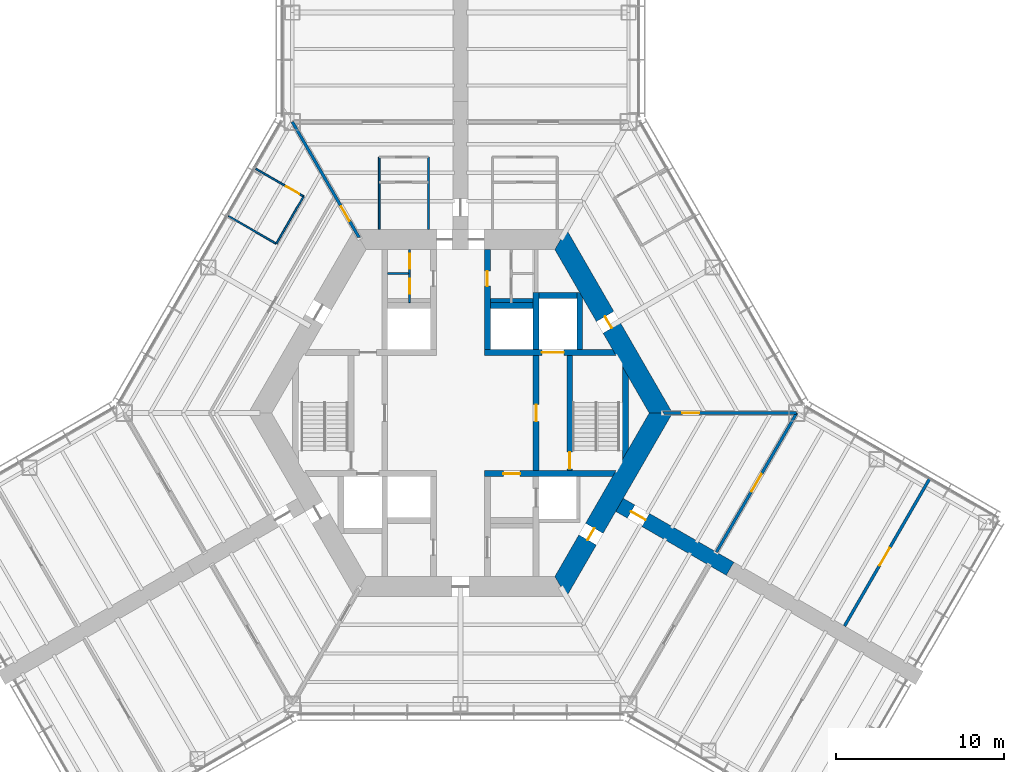
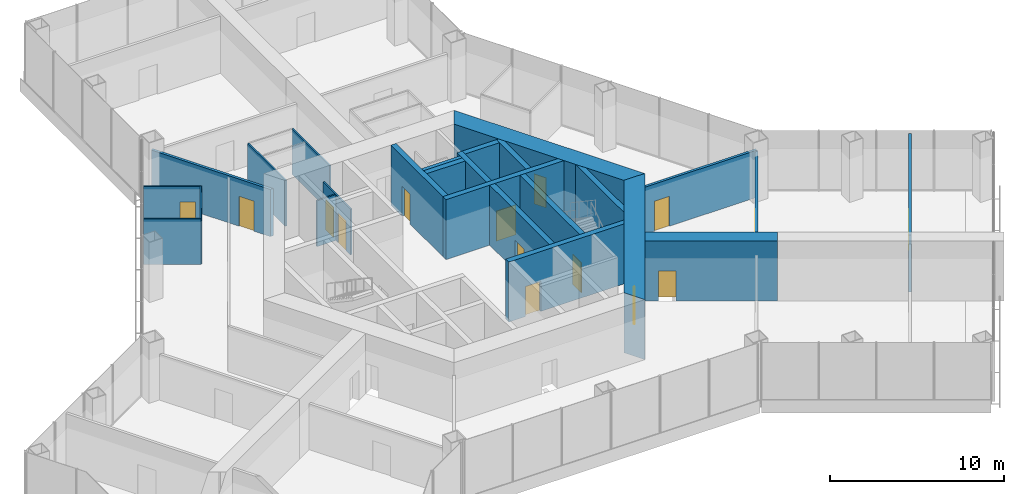
# One storey, part 12 of 16: 25 walls, 15 doors, 15 openings.
"""IFC4 building model written with IfcOpenShell, lengths in metres."""

from ifc_helpers import new_model, si_unit, direction, frame, frame_2d, origin, place, context, subcontext, project, spatial, polyline, rectangle, outline, extrude, material, layer, layer_set, type_object, element, fill, save


model = new_model("IFC4")

# Units and contexts
model_context = context("Model", 3, precision=1e-05, world=origin(), true_north=direction((0.0, 1.0)))
body_context = subcontext(model_context, "Body", "Model", "MODEL_VIEW")
ifc_project = project(units=[si_unit("LENGTHUNIT", "METRE"), si_unit("AREAUNIT", "SQUARE_METRE"), si_unit("VOLUMEUNIT", "CUBIC_METRE"), si_unit("PLANEANGLEUNIT", "RADIAN"), si_unit("MASSUNIT", "GRAM", prefix="KILO")], contexts=[model_context])

# Site, building, storey
site_placement = place(None, origin())
site = spatial("IfcSite", under=ifc_project, at=site_placement, CompositionType="ELEMENT")
building_placement = place(site_placement, origin())
building = spatial("IfcBuilding", under=site, at=building_placement, Name="Kasaneha Research Tower", CompositionType="ELEMENT")
storey_placement = place(building_placement, frame((0.0, 0.0, 14.199951171875)))
storey = spatial("IfcBuildingStorey", under=building, at=storey_placement, Name="L04", CompositionType="ELEMENT", Elevation=14.199951171875)

# Wall, opening, door
ifc_material_1 = material(Name="Concrete Fc100", Category="concrete")
ifc_layer_1 = layer(ifc_material_1, 0.35009765625)
ifc_layer_set_1 = layer_set([ifc_layer_1], Name="Core internal wall 350 Fc100")
wall_type_1 = type_object("IfcWallType", Name="Core internal wall 350 Fc100", PredefinedType="SHEAR", material=ifc_layer_set_1)
wall_1_placement = place(storey_placement, frame((1.425048828125, 3.60009765625, 0.0), z_axis=(0.0, 0.0, 1.0), x_axis=(1.0, 0.0, 0.0)))
wall_1 = element("IfcWall", 1, at=wall_1_placement, inside=storey, type_object=wall_type_1, Name="Core wall W1E L04", PredefinedType="SHEAR", context=body_context, shape_type="SweptSolid", body=[
    extrude(outline(polyline([(0.0, -0.175048828125), (3.425048828125, -0.175048828125), (4.72509765625, -0.175048828125), (7.8271484375, -0.175048828125), (7.625, 0.175048828125), (4.72509765625, 0.175048828125), (3.425048828125, 0.175048828125), (0.0, 0.175048828125), (0.0, -0.175048828125)])), origin(), (0.0, 0.0, 1.0), 4.199951171875),
])
opening_1_placement = place(wall_1_placement, frame((3.425048828125, 0.0, 0.0)))
opening_1 = element("IfcOpeningElement", 2, at=opening_1_placement, cuts=wall_1, Name="Opening LD-FL1-L04", PredefinedType="OPENING", context=body_context, shape_type="SweptSolid", body=[
    extrude(rectangle(XDim=1.300048828125, YDim=2.10009765625, at=frame_2d((0.64990234375, 1.050048828125))), frame((0.0, 0.18505859375, 0.0), z_axis=(0.0, -1.0, 0.0), x_axis=(1.0, 0.0, 0.0)), (0.0, 0.0, 1.0), 0.3701171875),
])
ifc_material_2 = material(Name="Steel", Category="steel")
door_type_1 = type_object("IfcDoorType", Name="Lift landing door 1300x2100", OperationType="DOUBLE_DOOR_SLIDING", PredefinedType="DOOR", material=ifc_material_2)
door_1_placement = place(opening_1_placement, origin())
door_1 = element("IfcDoor", 3, at=door_1_placement, inside=storey, type_object=door_type_1, Name="Landing door FL1 LD-FL1-L04", OperationType="DOUBLE_DOOR_SLIDING", OverallHeight=2.10009765625, OverallWidth=1.300048828125, PredefinedType="DOOR", context=body_context, shape_type="SweptSolid", body=[
    extrude(rectangle(XDim=1.300048828125, YDim=2.10009765625, at=frame_2d((0.64990234375, 1.050048828125))), frame((0.0, 0.02490234375, 0.0), z_axis=(0.0, -1.0, 0.0), x_axis=(1.0, 0.0, 0.0)), (0.0, 0.0, 1.0), 0.050048828125),
])
fill(opening_1, door_1)

wall_2_placement = place(storey_placement, frame((1.425048828125, -3.60009765625, 0.0), z_axis=(0.0, 0.0, 1.0), x_axis=(1.0, 0.0, 0.0)))
wall_2 = element("IfcWall", 4, at=wall_2_placement, inside=storey, type_object=wall_type_1, Name="Core wall W2E L04", PredefinedType="SHEAR", context=body_context, shape_type="SweptSolid", body=[
    extrude(outline(polyline([(0.0, -0.175048828125), (1.125, -0.175048828125), (2.125, -0.175048828125), (7.625, -0.175048828125), (7.8271484375, 0.175048828125), (2.125, 0.175048828125), (1.125, 0.175048828125), (0.0, 0.175048828125), (0.0, -0.175048828125)])), origin(), (0.0, 0.0, 1.0), 4.199951171875),
])
opening_2_placement = place(wall_2_placement, frame((1.125, 0.0, 0.0)))
opening_2 = element("IfcOpeningElement", 5, at=opening_2_placement, cuts=wall_2, Name="Opening L04-LV", PredefinedType="OPENING", context=body_context, shape_type="SweptSolid", body=[
    extrude(rectangle(XDim=1.0, YDim=2.10009765625, at=frame_2d((0.5, 1.050048828125))), frame((0.0, 0.18505859375, 0.0), z_axis=(0.0, -1.0, 0.0), x_axis=(1.0, 0.0, 0.0)), (0.0, 0.0, 1.0), 0.3701171875),
])
ifc_material_3 = material(Name="Steel", Category="steel")
door_type_2 = type_object("IfcDoorType", Name="Specified fire door FD60 1000x2100", OperationType="NOTDEFINED", PredefinedType="DOOR", material=ifc_material_3)
door_2_placement = place(opening_2_placement, origin())
door_2 = element("IfcDoor", 6, at=door_2_placement, inside=storey, type_object=door_type_2, Name="Podium vestibule door L04-LV", OperationType="SINGLE_SWING_LEFT", OverallHeight=2.10009765625, OverallWidth=1.0, PredefinedType="DOOR", context=body_context, shape_type="SweptSolid", body=[
    extrude(rectangle(XDim=1.0, YDim=2.10009765625, at=frame_2d((0.5, 1.050048828125))), frame((0.0, 0.02490234375, 0.0), z_axis=(0.0, -1.0, 0.0), x_axis=(1.0, 0.0, 0.0)), (0.0, 0.0, 1.0), 0.050048828125),
])
fill(opening_2, door_2)

wall_3_placement = place(storey_placement, frame((1.60009765625, 3.77490234375, 0.0), z_axis=(0.0, 0.0, 1.0), x_axis=(0.0, 1.0, 0.0)))
wall_3 = element("IfcWall", 7, at=wall_3_placement, inside=storey, type_object=wall_type_1, Name="Core wall CNE L04", PredefinedType="SHEAR", context=body_context, shape_type="SweptSolid", body=[
    extrude(rectangle(XDim=5.9501953125, YDim=0.35009765625, at=frame_2d((2.97509765625, 0.0))), origin(), (0.0, 0.0, 1.0), 4.199951171875),
])
opening_3_placement = place(wall_3_placement, frame((3.77490234375, 0.0, 0.0)))
opening_3 = element("IfcOpeningElement", 8, at=opening_3_placement, cuts=wall_3, Name="Opening L04-D14", PredefinedType="OPENING", context=body_context, shape_type="SweptSolid", body=[
    extrude(rectangle(XDim=0.89990234375, YDim=2.10009765625, at=frame_2d((0.449951171875, 1.050048828125))), frame((0.0, 0.18505859375, 0.0), z_axis=(0.0, -1.0, 0.0), x_axis=(1.0, 0.0, 0.0)), (0.0, 0.0, 1.0), 0.3701171875),
])
ifc_material_4 = material(Name="Steel", Category="steel")
door_type_3 = type_object("IfcDoorType", Name="Toilet door FD20 900x2100", OperationType="NOTDEFINED", PredefinedType="DOOR", material=ifc_material_4)
door_3_placement = place(opening_3_placement, origin())
door_3 = element("IfcDoor", 9, at=door_3_placement, inside=storey, type_object=door_type_3, Name="Women's WC door L04-D14", OperationType="SINGLE_SWING_LEFT", OverallHeight=2.10009765625, OverallWidth=0.89990234375, PredefinedType="DOOR", context=body_context, shape_type="SweptSolid", body=[
    extrude(rectangle(XDim=0.89990234375, YDim=2.10009765625, at=frame_2d((0.449951171875, 1.050048828125))), frame((0.0, 0.02490234375, 0.0), z_axis=(0.0, -1.0, 0.0), x_axis=(1.0, 0.0, 0.0)), (0.0, 0.0, 1.0), 0.050048828125),
])
fill(opening_3, door_3)

wall_4_placement = place(storey_placement, frame((4.5, -3.425048828125, 0.0), z_axis=(0.0, 0.0, 1.0), x_axis=(0.0, 1.0, 0.0)))
wall_4 = element("IfcWall", 10, at=wall_4_placement, inside=storey, type_object=wall_type_1, Name="Core wall LBE L04", PredefinedType="SHEAR", context=body_context, shape_type="SweptSolid", body=[
    extrude(rectangle(XDim=6.85009765625, YDim=0.35009765625, at=frame_2d((3.425048828125, 0.0))), origin(), (0.0, 0.0, 1.0), 4.199951171875),
])
opening_4_placement = place(wall_4_placement, frame((2.925048828125, 0.0, 0.0)))
opening_4 = element("IfcOpeningElement", 11, at=opening_4_placement, cuts=wall_4, Name="Opening L04-D08", PredefinedType="OPENING", context=body_context, shape_type="SweptSolid", body=[
    extrude(rectangle(XDim=1.0, YDim=2.10009765625, at=frame_2d((0.5, 1.050048828125))), frame((0.0, 0.18505859375, 0.0), z_axis=(0.0, -1.0, 0.0), x_axis=(1.0, 0.0, 0.0)), (0.0, 0.0, 1.0), 0.3701171875),
])
door_4_placement = place(opening_4_placement, origin())
door_4 = element("IfcDoor", 12, at=door_4_placement, inside=storey, type_object=door_type_2, Name="Lift lobby door east L04-D08", OperationType="SINGLE_SWING_LEFT", OverallHeight=2.10009765625, OverallWidth=1.0, PredefinedType="DOOR", context=body_context, shape_type="SweptSolid", body=[
    extrude(rectangle(XDim=1.0, YDim=2.10009765625, at=frame_2d((0.5, 1.050048828125))), frame((0.0, 0.02490234375, 0.0), z_axis=(0.0, -1.0, 0.0), x_axis=(1.0, 0.0, 0.0)), (0.0, 0.0, 1.0), 0.050048828125),
])
fill(opening_4, door_4)

wall_5_placement = place(storey_placement, frame((6.5, -3.425048828125, 0.0), z_axis=(0.0, 0.0, 1.0), x_axis=(0.0, 1.0, 0.0)))
wall_5 = element("IfcWall", 13, at=wall_5_placement, inside=storey, type_object=wall_type_1, Name="Core wall ANE L04", PredefinedType="SHEAR", context=body_context, shape_type="SweptSolid", body=[
    extrude(rectangle(XDim=6.85009765625, YDim=0.35009765625, at=frame_2d((3.425048828125, 0.0))), origin(), (0.0, 0.0, 1.0), 4.199951171875),
])
opening_5_placement = place(wall_5_placement, frame((0.10009765625, 0.0, 0.0)))
opening_5 = element("IfcOpeningElement", 14, at=opening_5_placement, cuts=wall_5, Name="Opening L04-D10", PredefinedType="OPENING", context=body_context, shape_type="SweptSolid", body=[
    extrude(rectangle(XDim=1.0, YDim=2.10009765625, at=frame_2d((0.5, 1.050048828125))), frame((0.0, 0.18505859375, 0.0), z_axis=(0.0, -1.0, 0.0), x_axis=(1.0, 0.0, 0.0)), (0.0, 0.0, 1.0), 0.3701171875),
])
door_5_placement = place(opening_5_placement, origin())
door_5 = element("IfcDoor", 15, at=door_5_placement, inside=storey, type_object=door_type_2, Name="Stair 1 door L04-D10", OperationType="SINGLE_SWING_LEFT", OverallHeight=2.10009765625, OverallWidth=1.0, PredefinedType="DOOR", context=body_context, shape_type="SweptSolid", body=[
    extrude(rectangle(XDim=1.0, YDim=2.10009765625, at=frame_2d((0.5, 1.050048828125))), frame((0.0, 0.02490234375, 0.0), z_axis=(0.0, -1.0, 0.0), x_axis=(1.0, 0.0, 0.0)), (0.0, 0.0, 1.0), 0.050048828125),
])
fill(opening_5, door_5)

# Walls
wall_6_placement = place(storey_placement, frame((4.5, 3.77490234375, 0.0), z_axis=(0.0, 0.0, 1.0), x_axis=(0.0, 1.0, 0.0)))
element("IfcWall", 16, at=wall_6_placement, inside=storey, type_object=wall_type_1, Name="Core wall FNE L04", PredefinedType="SHEAR", context=body_context, shape_type="SweptSolid", body=[
    extrude(rectangle(XDim=3.400146484375, YDim=0.35009765625, at=frame_2d((1.7001953125, 0.0))), origin(), (0.0, 0.0, 1.0), 4.199951171875),
])
wall_7_placement = place(storey_placement, frame((1.77490234375, 6.39990234375, 0.0), z_axis=(0.0, 0.0, 1.0), x_axis=(1.0, 0.0, 0.0)))
element("IfcWall", 17, at=wall_7_placement, inside=storey, type_object=wall_type_1, Name="Core wall N3N L04", PredefinedType="SHEAR", context=body_context, shape_type="SweptSolid", body=[
    extrude(rectangle(XDim=2.550048828125, YDim=0.35009765625, at=frame_2d((1.27490234375, 0.0))), origin(), (0.0, 0.0, 1.0), 4.199951171875),
])
wall_8_placement = place(storey_placement, frame((4.675048828125, 7.0, 0.0), z_axis=(0.0, 0.0, 1.0), x_axis=(1.0, 0.0, 0.0)))
element("IfcWall", 18, at=wall_8_placement, inside=storey, type_object=wall_type_1, Name="Core wall F1N L04", PredefinedType="SHEAR", context=body_context, shape_type="SweptSolid", body=[
    extrude(rectangle(XDim=2.25, YDim=0.35009765625, at=frame_2d((1.125, 0.0))), origin(), (0.0, 0.0, 1.0), 4.199951171875),
])
wall_9_placement = place(storey_placement, frame((7.10009765625, 3.77490234375, 0.0), z_axis=(0.0, 0.0, 1.0), x_axis=(0.0, 1.0, 0.0)))
element("IfcWall", 19, at=wall_9_placement, inside=storey, type_object=wall_type_1, Name="Core wall F1E L04", PredefinedType="SHEAR", context=body_context, shape_type="SweptSolid", body=[
    extrude(outline(polyline([(0.0, -0.175048828125), (3.07421875, -0.175048828125), (3.37744140625, 0.0), (3.39990234375, 0.175048828125), (0.0, 0.175048828125), (0.0, -0.175048828125)])), origin(), (0.0, 0.0, 1.0), 4.199951171875),
])
wall_10_placement = place(storey_placement, frame((9.807861328125, -2.462158203125, 0.0), z_axis=(0.0, 0.0, 1.0), x_axis=(0.0, 1.0, 0.0)))
element("IfcWall", 20, at=wall_10_placement, inside=storey, type_object=wall_type_1, Name="Core wall STE L04", PredefinedType="SHEAR", context=body_context, shape_type="SweptSolid", body=[
    extrude(outline(polyline([(0.30322265625, -0.175048828125), (4.62109375, -0.175048828125), (5.2275390625, 0.175048828125), (-0.30322265625, 0.175048828125), (0.30322265625, -0.175048828125)])), origin(), (0.0, 0.0, 1.0), 4.199951171875),
])

# Wall, opening, door
ifc_material_5 = material(Name="Concrete Fc100", Category="concrete")
ifc_layer_2 = layer(ifc_material_5, 1.199951171875)
ifc_layer_set_2 = layer_set([ifc_layer_2], Name="Core wall 1200 Fc100")
wall_type_2 = type_object("IfcWallType", Name="Core wall 1200 Fc100", PredefinedType="SHEAR", material=ifc_layer_set_2)
wall_11_placement = place(storey_placement, frame((11.92236328125, 0.0, 0.0), z_axis=(0.0, 0.0, 1.0), x_axis=(-0.500004296715, 0.866022923061, 0.0)))
wall_11 = element("IfcWall", 21, at=wall_11_placement, inside=storey, type_object=wall_type_2, Name="Core wall 030 L04", PredefinedType="SHEAR", context=body_context, shape_type="SweptSolid", body=[
    extrude(outline(polyline([(-0.346435546875, -0.60009765625), (5.83544921875, -0.60009765625), (6.635498046875, -0.60009765625), (12.268798828125, -0.60009765625), (11.575927734375, 0.60009765625), (6.635498046875, 0.60009765625), (5.83544921875, 0.60009765625), (0.346435546875, 0.60009765625), (-0.346435546875, -0.60009765625)])), origin(), (0.0, 0.0, 1.0), 4.199951171875),
])
opening_6_placement = place(wall_11_placement, frame((5.83544921875, 0.0, 0.0)))
opening_6 = element("IfcOpeningElement", 22, at=opening_6_placement, cuts=wall_11, Name="Opening L04-D04", PredefinedType="OPENING", context=body_context, shape_type="SweptSolid", body=[
    extrude(rectangle(XDim=0.800048828125, YDim=2.10009765625, at=frame_2d((0.39990234375, 1.050048828125))), frame((0.0, 0.60986328125, 0.0), z_axis=(0.0, -1.0, 0.0), x_axis=(1.0, 0.0, 0.0)), (0.0, 0.0, 1.0), 1.219970703125),
])
ifc_material_6 = material(Name="Steel", Category="steel")
door_type_4 = type_object("IfcDoorType", Name="Riser access door FD60 800x2100", OperationType="NOTDEFINED", PredefinedType="DOOR", material=ifc_material_6)
door_6_placement = place(opening_6_placement, origin())
door_6 = element("IfcDoor", 23, at=door_6_placement, inside=storey, type_object=door_type_4, Name="Pipe riser door L04-D04", OperationType="SINGLE_SWING_RIGHT", OverallHeight=2.10009765625, OverallWidth=0.800048828125, PredefinedType="DOOR", context=body_context, shape_type="SweptSolid", body=[
    extrude(rectangle(XDim=0.800048828125, YDim=2.10009765625, at=frame_2d((0.39990234375, 1.050048828125))), frame((0.0, 0.02490234375, 0.0), z_axis=(0.0, -1.0, 0.0), x_axis=(1.0, 0.0, 0.0)), (0.0, 0.0, 1.0), 0.050048828125),
])
fill(opening_6, door_6)

wall_12_placement = place(storey_placement, frame((5.961181640625, -10.324951171875, 0.0), z_axis=(0.0, 0.0, 1.0), x_axis=(0.500004296715, 0.866022923061, 0.0)))
wall_12 = element("IfcWall", 24, at=wall_12_placement, inside=storey, type_object=wall_type_2, Name="Core wall 330 L04", PredefinedType="SHEAR", context=body_context, shape_type="SweptSolid", body=[
    extrude(outline(polyline([(-0.346435546875, -0.60009765625), (3.20849609375, -0.60009765625), (4.008544921875, -0.60009765625), (12.268798828125, -0.60009765625), (11.575927734375, 0.60009765625), (4.008544921875, 0.60009765625), (3.20849609375, 0.60009765625), (0.346435546875, 0.60009765625), (-0.346435546875, -0.60009765625)])), origin(), (0.0, 0.0, 1.0), 4.199951171875),
])
opening_7_placement = place(wall_12_placement, frame((3.20849609375, 0.0, 0.0)))
opening_7 = element("IfcOpeningElement", 25, at=opening_7_placement, cuts=wall_12, Name="Opening L04-D05", PredefinedType="OPENING", context=body_context, shape_type="SweptSolid", body=[
    extrude(rectangle(XDim=0.800048828125, YDim=2.10009765625, at=frame_2d((0.39990234375, 1.050048828125))), frame((0.0, 0.60986328125, 0.0), z_axis=(0.0, -1.0, 0.0), x_axis=(1.0, 0.0, 0.0)), (0.0, 0.0, 1.0), 1.219970703125),
])
door_7_placement = place(opening_7_placement, origin())
door_7 = element("IfcDoor", 26, at=door_7_placement, inside=storey, type_object=door_type_4, Name="Pipe riser door L04-D05", OperationType="SINGLE_SWING_LEFT", OverallHeight=2.10009765625, OverallWidth=0.800048828125, PredefinedType="DOOR", context=body_context, shape_type="SweptSolid", body=[
    extrude(rectangle(XDim=0.800048828125, YDim=2.10009765625, at=frame_2d((0.39990234375, 1.050048828125))), frame((0.0, 0.02490234375, 0.0), z_axis=(0.0, -1.0, 0.0), x_axis=(1.0, 0.0, 0.0)), (0.0, 0.0, 1.0), 0.050048828125),
])
fill(opening_7, door_7)

ifc_material_7 = material(Name="Gypsum board on steel studs, two layers each side", Category="steel")
ifc_layer_3 = layer(ifc_material_7, 0.175048828125)
ifc_layer_set_3 = layer_set([ifc_layer_3], Name="Laboratory fire partition 175")
wall_type_3 = type_object("IfcWallType", Name="Laboratory fire partition 175", PredefinedType="PARTITIONING", material=ifc_layer_set_3)
wall_13_placement = place(storey_placement, frame((15.22509765625, -8.2705078125, 0.0), z_axis=(0.0, 0.0, 1.0), x_axis=(0.499993908199, 0.866028920859, 0.0)))
wall_13 = element("IfcWall", 27, at=wall_13_placement, inside=storey, type_object=wall_type_3, Name="Laboratory fire partition LABC-E L04", PredefinedType="PARTITIONING", context=body_context, shape_type="SweptSolid", body=[
    extrude(rectangle(XDim=9.5498046875, YDim=0.175048828125, at=frame_2d((4.77490234375, 0.0))), origin(), (0.0, 0.0, 1.0), 3.2080078125),
])
opening_8_placement = place(wall_13_placement, frame((4.175048828125, 0.0, 0.0)))
opening_8 = element("IfcOpeningElement", 28, at=opening_8_placement, cuts=wall_13, Name="Opening L04-D42", PredefinedType="OPENING", context=body_context, shape_type="SweptSolid", body=[
    extrude(rectangle(XDim=1.199951171875, YDim=2.10009765625, at=frame_2d((0.60009765625, 1.050048828125))), frame((0.0, 0.09765625, 0.0), z_axis=(0.0, -1.0, 0.0), x_axis=(1.0, 0.0, 0.0)), (0.0, 0.0, 1.0), 0.195068359375),
])
ifc_material_8 = material(Name="Steel", Category="steel")
door_type_5 = type_object("IfcDoorType", Name="Laboratory door FD60 1200x2100", OperationType="DOUBLE_DOOR_SINGLE_SWING", PredefinedType="DOOR", material=ifc_material_8)
door_8_placement = place(opening_8_placement, origin())
door_8 = element("IfcDoor", 29, at=door_8_placement, inside=storey, type_object=door_type_5, Name="Laboratory door L04-D42", OperationType="DOUBLE_DOOR_SINGLE_SWING", OverallHeight=2.10009765625, OverallWidth=1.199951171875, PredefinedType="DOOR", context=body_context, shape_type="SweptSolid", body=[
    extrude(rectangle(XDim=1.199951171875, YDim=2.10009765625, at=frame_2d((0.60009765625, 1.050048828125))), frame((0.0, 0.02490234375, 0.0), z_axis=(0.0, -1.0, 0.0), x_axis=(1.0, 0.0, 0.0)), (0.0, 0.0, 1.0), 0.050048828125),
])
fill(opening_8, door_8)

wall_14_placement = place(storey_placement, frame((22.845947265625, -12.670654296875, 0.0), z_axis=(0.0, 0.0, 1.0), x_axis=(0.50000186303, 0.866024328161, 0.0)))
wall_14 = element("IfcWall", 30, at=wall_14_placement, inside=storey, type_object=wall_type_3, Name="Laboratory fire partition SUPC-E L04", PredefinedType="PARTITIONING", context=body_context, shape_type="SweptSolid", body=[
    extrude(rectangle(XDim=10.13525390625, YDim=0.175048828125, at=frame_2d((5.067626953125, 0.0))), origin(), (0.0, 0.0, 1.0), 4.0),
])
opening_9_placement = place(wall_14_placement, frame((4.175048828125, 0.0, 0.0)))
opening_9 = element("IfcOpeningElement", 31, at=opening_9_placement, cuts=wall_14, Name="Opening L04-D43", PredefinedType="OPENING", context=body_context, shape_type="SweptSolid", body=[
    extrude(rectangle(XDim=1.199951171875, YDim=2.10009765625, at=frame_2d((0.60009765625, 1.050048828125))), frame((0.0, 0.09765625, 0.0), z_axis=(0.0, -1.0, 0.0), x_axis=(1.0, 0.0, 0.0)), (0.0, 0.0, 1.0), 0.195068359375),
])
door_9_placement = place(opening_9_placement, origin())
door_9 = element("IfcDoor", 32, at=door_9_placement, inside=storey, type_object=door_type_5, Name="Laboratory support room door L04-D43", OperationType="DOUBLE_DOOR_SINGLE_SWING", OverallHeight=2.10009765625, OverallWidth=1.199951171875, PredefinedType="DOOR", context=body_context, shape_type="SweptSolid", body=[
    extrude(rectangle(XDim=1.199951171875, YDim=2.10009765625, at=frame_2d((0.60009765625, 1.050048828125))), frame((0.0, 0.02490234375, 0.0), z_axis=(0.0, -1.0, 0.0), x_axis=(1.0, 0.0, 0.0)), (0.0, 0.0, 1.0), 0.050048828125),
])
fill(opening_9, door_9)

# Wall, openings, doors
ifc_material_9 = material(Name="Gypsum board on steel studs, one layer each side", Category="steel")
ifc_layer_4 = layer(ifc_material_9, 0.10009765625)
ifc_layer_set_4 = layer_set([ifc_layer_4], Name="Office partition 100")
wall_type_4 = type_object("IfcWallType", Name="Office partition 100", PredefinedType="PARTITIONING", material=ifc_layer_set_4)
wall_15_placement = place(storey_placement, frame((-3.02490234375, 6.574951171875, 0.0), z_axis=(0.0, 0.0, 1.0), x_axis=(0.0, 1.0, 0.0)))
wall_15 = element("IfcWall", 33, at=wall_15_placement, inside=storey, type_object=wall_type_4, Name="Office partition TBM1 L04", PredefinedType="PARTITIONING", context=body_context, shape_type="SweptSolid", body=[
    extrude(rectangle(XDim=3.150146484375, YDim=0.10009765625, at=frame_2d((1.5751953125, 0.0))), origin(), (0.0, 0.0, 1.0), 3.199951171875),
])
opening_10_placement = place(wall_15_placement, frame((0.512451171875, 0.0, 0.0)))
opening_10 = element("IfcOpeningElement", 34, at=opening_10_placement, cuts=wall_15, Name="Opening L04-D20", PredefinedType="OPENING", context=body_context, shape_type="SweptSolid", body=[
    extrude(rectangle(XDim=0.89990234375, YDim=2.10009765625, at=frame_2d((0.449951171875, 1.050048828125))), frame((0.0, 0.06005859375, 0.0), z_axis=(0.0, -1.0, 0.0), x_axis=(1.0, 0.0, 0.0)), (0.0, 0.0, 1.0), 0.1201171875),
])
opening_11_placement = place(wall_15_placement, frame((2.012451171875, 0.0, 0.0)))
opening_11 = element("IfcOpeningElement", 35, at=opening_11_placement, cuts=wall_15, Name="Opening L04-D21", PredefinedType="OPENING", context=body_context, shape_type="SweptSolid", body=[
    extrude(rectangle(XDim=0.89990234375, YDim=2.10009765625, at=frame_2d((0.449951171875, 1.050048828125))), frame((0.0, 0.06005859375, 0.0), z_axis=(0.0, -1.0, 0.0), x_axis=(1.0, 0.0, 0.0)), (0.0, 0.0, 1.0), 0.1201171875),
])
ifc_material_10 = material(Name="Steel", Category="steel")
door_type_6 = type_object("IfcDoorType", Name="Toilet lobby door FD30 900x2100", OperationType="NOTDEFINED", PredefinedType="DOOR", material=ifc_material_10)
door_10_placement = place(opening_10_placement, origin())
door_10 = element("IfcDoor", 36, at=door_10_placement, inside=storey, type_object=door_type_6, Name="Men's WC door L04-D20", OperationType="SINGLE_SWING_RIGHT", OverallHeight=2.10009765625, OverallWidth=0.89990234375, PredefinedType="DOOR", context=body_context, shape_type="SweptSolid", body=[
    extrude(rectangle(XDim=0.89990234375, YDim=2.10009765625, at=frame_2d((0.449951171875, 1.050048828125))), frame((0.0, 0.02490234375, 0.0), z_axis=(0.0, -1.0, 0.0), x_axis=(1.0, 0.0, 0.0)), (0.0, 0.0, 1.0), 0.050048828125),
])
fill(opening_10, door_10)
door_11_placement = place(opening_11_placement, origin())
door_11 = element("IfcDoor", 37, at=door_11_placement, inside=storey, type_object=door_type_6, Name="Cleaner's store door L04-D21", OperationType="SINGLE_SWING_RIGHT", OverallHeight=2.10009765625, OverallWidth=0.89990234375, PredefinedType="DOOR", context=body_context, shape_type="SweptSolid", body=[
    extrude(rectangle(XDim=0.89990234375, YDim=2.10009765625, at=frame_2d((0.449951171875, 1.050048828125))), frame((0.0, 0.02490234375, 0.0), z_axis=(0.0, -1.0, 0.0), x_axis=(1.0, 0.0, 0.0)), (0.0, 0.0, 1.0), 0.050048828125),
])
fill(opening_11, door_11)

# Walls
wall_16_placement = place(storey_placement, frame((-3.074951171875, 8.300048828125, 0.0), z_axis=(0.0, 0.0, 1.0), x_axis=(-1.0, 0.0, 0.0)))
element("IfcWall", 38, at=wall_16_placement, inside=storey, type_object=wall_type_4, Name="Office partition TBM2 L04", PredefinedType="PARTITIONING", context=body_context, shape_type="SweptSolid", body=[
    extrude(rectangle(XDim=1.25, YDim=0.10009765625, at=frame_2d((0.625, 0.0))), origin(), (0.0, 0.0, 1.0), 3.199951171875),
])
for number, where, z_axis, x_axis, name in (
    (39, (-1.89990234375, 10.925048828125, 0.0), (0.0, 0.0, 1.0), (0.0, 1.0, 0.0), "Office partition WCAW2 L04"),
    (40, (-4.82861328125, 10.925048828125, 0.0), (0.0, 0.0, 1.0), (0.0, 1.0, 0.0), "Office partition WCAW3 L04"),
):
    element("IfcWall", number, at=place(storey_placement, frame(where, z_axis=z_axis, x_axis=x_axis)), inside=storey, type_object=wall_type_4, Name=name, PredefinedType="PARTITIONING", context=body_context, shape_type="SweptSolid", body=[
        extrude(rectangle(XDim=4.300048828125, YDim=0.10009765625, at=frame_2d((2.14990234375, 0.0))), origin(), (0.0, 0.0, 1.0), 3.199951171875),
    ])

# Wall, opening, door
wall_17_placement = place(storey_placement, frame((-12.177978515625, 14.5283203125, 0.0), z_axis=(0.0, 0.0, 1.0), x_axis=(0.866033596865, -0.4999858089, 0.0)))
wall_17 = element("IfcWall", 41, at=wall_17_placement, inside=storey, type_object=wall_type_4, Name="Office partition FBN03 L04", PredefinedType="PARTITIONING", context=body_context, shape_type="SweptSolid", body=[
    extrude(rectangle(XDim=3.2900390625, YDim=0.10009765625, at=frame_2d((1.64501953125, 0.0))), origin(), (0.0, 0.0, 1.0), 3.199951171875),
])
opening_12_placement = place(wall_17_placement, frame((2.090087890625, 0.0, 0.0)))
opening_12 = element("IfcOpeningElement", 42, at=opening_12_placement, cuts=wall_17, Name="Opening L04-D38", PredefinedType="OPENING", context=body_context, shape_type="SweptSolid", body=[
    extrude(rectangle(XDim=0.89990234375, YDim=2.10009765625, at=frame_2d((0.449951171875, 1.050048828125))), frame((0.0, 0.06005859375, 0.0), z_axis=(0.0, -1.0, 0.0), x_axis=(1.0, 0.0, 0.0)), (0.0, 0.0, 1.0), 0.1201171875),
])
ifc_material_11 = material(Name="Timber veneer", Category="wood")
door_type_7 = type_object("IfcDoorType", Name="Office door 900x2100", OperationType="SINGLE_SWING_LEFT", PredefinedType="DOOR", material=ifc_material_11)
door_12_placement = place(opening_12_placement, origin())
door_12 = element("IfcDoor", 43, at=door_12_placement, inside=storey, type_object=door_type_7, Name="Cold room door L04-D38", OperationType="SINGLE_SWING_RIGHT", OverallHeight=2.10009765625, OverallWidth=0.89990234375, PredefinedType="DOOR", context=body_context, shape_type="SweptSolid", body=[
    extrude(rectangle(XDim=0.89990234375, YDim=2.10009765625, at=frame_2d((0.449951171875, 1.050048828125))), frame((0.0, 0.02490234375, 0.0), z_axis=(0.0, -1.0, 0.0), x_axis=(1.0, 0.0, 0.0)), (0.0, 0.0, 1.0), 0.050048828125),
])
fill(opening_12, door_12)

# Walls
wall_18_placement = place(storey_placement, frame((-10.951904296875, 10.07177734375, 0.0), z_axis=(0.0, 0.0, 1.0), x_axis=(-0.866040564224, 0.499973740429, 0.0)))
element("IfcWall", 44, at=wall_18_placement, inside=storey, type_object=wall_type_4, Name="Office partition FBN04 L04", PredefinedType="PARTITIONING", context=body_context, shape_type="SweptSolid", body=[
    extrude(rectangle(XDim=3.280029296875, YDim=0.10009765625, at=frame_2d((1.64013671875, 0.0))), origin(), (0.0, 0.0, 1.0), 3.199951171875),
])
wall_19_placement = place(storey_placement, frame((-9.32861328125, 12.88330078125, 0.0), z_axis=(0.0, 0.0, 1.0), x_axis=(-0.500013214685, -0.866017774148, 0.0)))
element("IfcWall", 45, at=wall_19_placement, inside=storey, type_object=wall_type_4, Name="Office partition FBN05 L04", PredefinedType="PARTITIONING", context=body_context, shape_type="SweptSolid", body=[
    extrude(rectangle(XDim=3.24658203125, YDim=0.10009765625, at=frame_2d((1.623291015625, 0.0))), origin(), (0.0, 0.0, 1.0), 3.199951171875),
])

# Wall, opening, door
ifc_material_12 = material(Name="Concrete Fc100", Category="concrete")
ifc_layer_5 = layer(ifc_material_12, 0.89990234375)
ifc_layer_set_5 = layer_set([ifc_layer_5], Name="Spine wall 900 Fc100")
wall_type_5 = type_object("IfcWallType", Name="Spine wall 900 Fc100", PredefinedType="SHEAR", material=ifc_layer_set_5)
wall_20_placement = place(storey_placement, frame((9.46142578125, -5.46240234375, 0.0), z_axis=(0.0, 0.0, 1.0), x_axis=(0.866019116917, -0.500010889016, 0.0)))
wall_20 = element("IfcWall", 46, at=wall_20_placement, inside=storey, type_object=wall_type_5, Name="Spine wall C L04", PredefinedType="SHEAR", context=body_context, shape_type="SweptSolid", body=[
    extrude(rectangle(XDim=7.595458984375, YDim=0.89990234375, at=frame_2d((3.7978515625, 0.0))), origin(), (0.0, 0.0, 1.0), 4.199951171875),
])
opening_13_placement = place(wall_20_placement, frame((0.800048828125, 0.0, 0.0)))
opening_13 = element("IfcOpeningElement", 47, at=opening_13_placement, cuts=wall_20, Name="Opening L04-D19", PredefinedType="OPENING", context=body_context, shape_type="SweptSolid", body=[
    extrude(rectangle(XDim=1.0, YDim=2.10009765625, at=frame_2d((0.5, 1.050048828125))), frame((0.0, 0.4599609375, 0.0), z_axis=(0.0, -1.0, 0.0), x_axis=(1.0, 0.0, 0.0)), (0.0, 0.0, 1.0), 0.919921875),
])
door_13_placement = place(opening_13_placement, origin())
door_13 = element("IfcDoor", 48, at=door_13_placement, inside=storey, type_object=door_type_2, Name="Spine doorway C L04-D19", OperationType="SINGLE_SWING_LEFT", OverallHeight=2.10009765625, OverallWidth=1.0, PredefinedType="DOOR", context=body_context, shape_type="SweptSolid", body=[
    extrude(rectangle(XDim=1.0, YDim=2.10009765625, at=frame_2d((0.5, 1.050048828125))), frame((0.0, 0.02490234375, 0.0), z_axis=(0.0, -1.0, 0.0), x_axis=(1.0, 0.0, 0.0)), (0.0, 0.0, 1.0), 0.050048828125),
])
fill(opening_13, door_13)

ifc_material_13 = material(Name="Gypsum board on steel studs, two layers each side", Category="steel")
ifc_layer_6 = layer(ifc_material_13, 0.175048828125)
ifc_layer_set_6 = layer_set([ifc_layer_6], Name="Tenancy fire partition 175")
wall_type_6 = type_object("IfcWallType", Name="Tenancy fire partition 175", PredefinedType="PARTITIONING", material=ifc_layer_set_6)
wall_21_placement = place(storey_placement, frame((12.070068359375, 0.0, 0.0), z_axis=(0.0, 0.0, 1.0), x_axis=(1.0, 0.0, 0.0)))
wall_21 = element("IfcWall", 49, at=wall_21_placement, inside=storey, type_object=wall_type_6, Name="Tenancy fire partition T000 L04", PredefinedType="PARTITIONING", context=body_context, shape_type="SweptSolid", body=[
    extrude(outline(polyline([(0.050537109375, -0.08740234375), (1.12939453125, -0.08740234375), (2.12939453125, -0.08740234375), (7.929931640625, -0.08740234375), (7.929931640625, 0.08740234375), (2.12939453125, 0.08740234375), (1.12939453125, 0.08740234375), (-0.050537109375, 0.08740234375), (0.050537109375, -0.08740234375)])), origin(), (0.0, 0.0, 1.0), 3.300048828125),
])
opening_14_placement = place(wall_21_placement, frame((1.12939453125, 0.0, 0.0)))
opening_14 = element("IfcOpeningElement", 50, at=opening_14_placement, cuts=wall_21, Name="Opening L04-D24", PredefinedType="OPENING", context=body_context, shape_type="SweptSolid", body=[
    extrude(rectangle(XDim=1.0, YDim=2.10009765625, at=frame_2d((0.5, 1.050048828125))), frame((0.0, 0.09765625, 0.0), z_axis=(0.0, -1.0, 0.0), x_axis=(1.0, 0.0, 0.0)), (0.0, 0.0, 1.0), 0.195068359375),
])
ifc_material_14 = material(Name="Steel", Category="steel")
door_type_8 = type_object("IfcDoorType", Name="Suite entrance door FD60 1000x2100", OperationType="NOTDEFINED", PredefinedType="DOOR", material=ifc_material_14)
door_14_placement = place(opening_14_placement, origin())
door_14 = element("IfcDoor", 51, at=door_14_placement, inside=storey, type_object=door_type_8, Name="Connecting door L04-D24", OperationType="SINGLE_SWING_LEFT", OverallHeight=2.10009765625, OverallWidth=1.0, PredefinedType="DOOR", context=body_context, shape_type="SweptSolid", body=[
    extrude(rectangle(XDim=1.0, YDim=2.10009765625, at=frame_2d((0.5, 1.050048828125))), frame((0.0, 0.02490234375, 0.0), z_axis=(0.0, -1.0, 0.0), x_axis=(1.0, 0.0, 0.0)), (0.0, 0.0, 1.0), 0.050048828125),
])
fill(opening_14, door_14)

wall_22_placement = place(storey_placement, frame((-6.03515625, 10.453125, 0.0), z_axis=(0.0, 0.0, 1.0), x_axis=(-0.499993402427, 0.866029212861, 0.0)))
wall_22 = element("IfcWall", 52, at=wall_22_placement, inside=storey, type_object=wall_type_6, Name="Tenancy fire partition T120 L04", PredefinedType="PARTITIONING", context=body_context, shape_type="SweptSolid", body=[
    extrude(outline(polyline([(-0.050537109375, -0.08740234375), (1.12939453125, -0.08740234375), (2.12939453125, -0.08740234375), (7.9296875, -0.08740234375), (7.9296875, 0.08740234375), (2.12939453125, 0.08740234375), (1.12939453125, 0.08740234375), (0.050537109375, 0.08740234375), (-0.050537109375, -0.08740234375)])), origin(), (0.0, 0.0, 1.0), 3.300048828125),
])
opening_15_placement = place(wall_22_placement, frame((1.12939453125, 0.0, 0.0)))
opening_15 = element("IfcOpeningElement", 53, at=opening_15_placement, cuts=wall_22, Name="Opening L04-D25", PredefinedType="OPENING", context=body_context, shape_type="SweptSolid", body=[
    extrude(rectangle(XDim=1.0, YDim=2.10009765625, at=frame_2d((0.5, 1.050048828125))), frame((0.0, 0.09765625, 0.0), z_axis=(0.0, -1.0, 0.0), x_axis=(1.0, 0.0, 0.0)), (0.0, 0.0, 1.0), 0.195068359375),
])
door_15_placement = place(opening_15_placement, origin())
door_15 = element("IfcDoor", 54, at=door_15_placement, inside=storey, type_object=door_type_8, Name="Connecting door L04-D25", OperationType="SINGLE_SWING_RIGHT", OverallHeight=2.10009765625, OverallWidth=1.0, PredefinedType="DOOR", context=body_context, shape_type="SweptSolid", body=[
    extrude(rectangle(XDim=1.0, YDim=2.10009765625, at=frame_2d((0.5, 1.050048828125))), frame((0.0, 0.02490234375, 0.0), z_axis=(0.0, -1.0, 0.0), x_axis=(1.0, 0.0, 0.0)), (0.0, 0.0, 1.0), 0.050048828125),
])
fill(opening_15, door_15)

# Wall
ifc_material_15 = material(Name="Concrete block lining", Category="concrete")
ifc_layer_7 = layer(ifc_material_15, 0.25)
ifc_layer_set_7 = layer_set([ifc_layer_7], Name="WC plumbing wall 250")
wall_type_7 = type_object("IfcWallType", Name="WC plumbing wall 250", PredefinedType="PLUMBINGWALL", material=ifc_layer_set_7)
wall_23_placement = place(storey_placement, frame((1.77490234375, 6.699951171875, 0.0), z_axis=(0.0, 0.0, 1.0), x_axis=(1.0, 0.0, 0.0)))
element("IfcWall", 55, at=wall_23_placement, inside=storey, type_object=wall_type_7, Name="WC plumbing wall F L04", PredefinedType="PLUMBINGWALL", context=body_context, shape_type="SweptSolid", body=[
    extrude(rectangle(XDim=2.550048828125, YDim=0.25, at=frame_2d((1.27490234375, 0.0))), origin(), (0.0, 0.0, 1.0), 4.199951171875),
])

save(model, "model.ifc")
